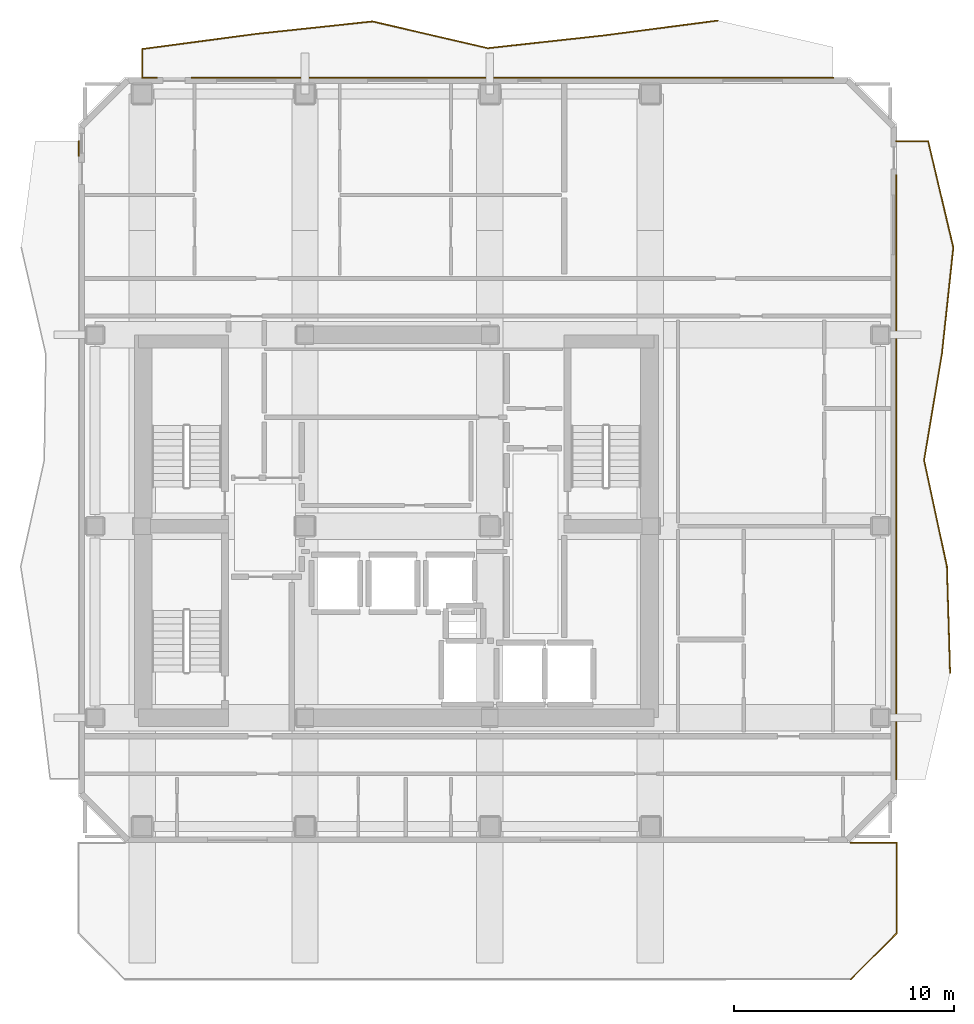
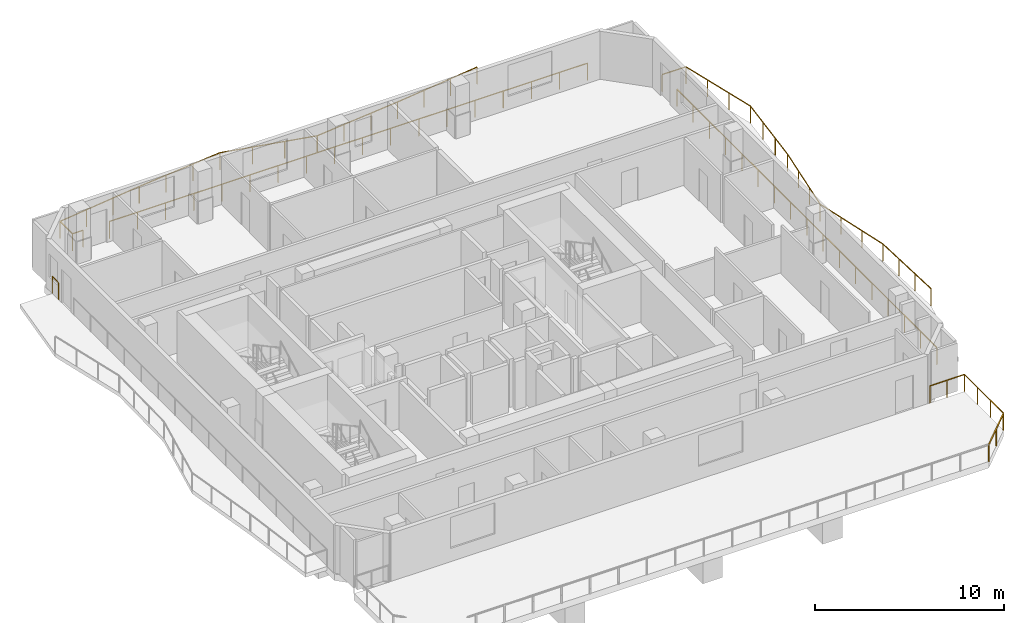
# One storey, part 9 of 9: 8 railings.
"""IFC4 building model written with IfcOpenShell, lengths in metres."""

import ifcopenshell
import ifcopenshell.guid

model = None  # the IFC model being written
_history = None  # IfcOwnerHistory: only IFC2X3 demands one
_inside = {}  # id of a spatial element -> (the spatial element, [elements in it])
_under = {}  # id of a project, library or spatial element -> (it, [spatial elements below it])
_declared = {}  # id of a project -> (the project, [libraries it declares])
_typed = {}  # id of a type object -> (the type object, [elements of that type])
_made_of = {}  # id of a material, layer set ... -> (it, [elements and type objects made of it])


def new_model(schema):
    """Start an empty IFC model of exactly this schema.

    Asked for "IFC4X3", IfcOpenShell would pick the latest addendum, in which some entities
    have other attributes; the version numbers below select the first issue.
    IFC2X3 requires an IfcOwnerHistory on every rooted entity: one is made here for all.
    """
    global model, _history
    if schema == "IFC4X3":
        model = ifcopenshell.file(schema_version=(4, 3, 0, 0))
    else:
        model = ifcopenshell.file(schema=schema)
    _inside.clear()
    _under.clear()
    _declared.clear()
    _typed.clear()
    _made_of.clear()
    _history = None
    if model.schema == "IFC2X3":
        org = make("IfcOrganization", Name="unknown")
        user = make(
            "IfcPersonAndOrganization",
            ThePerson=make("IfcPerson", FamilyName="unknown"),
            TheOrganization=org,
        )
        app = make(
            "IfcApplication",
            ApplicationDeveloper=org,
            Version="unknown",
            ApplicationFullName="unknown",
            ApplicationIdentifier="unknown",
        )
        _history = make(
            "IfcOwnerHistory",
            OwningUser=user,
            OwningApplication=app,
            ChangeAction="ADDED",
            CreationDate=0,
        )
    return model


def make(cls, **values):
    """One entity of the class cls with the attributes given. An attribute that is None is left unset."""
    return model.create_entity(
        cls, **{name: value for name, value in values.items() if value is not None}
    )


def rooted(cls, **values):
    """An entity with a GlobalId (a new one), such as an element, a storey or a relation."""
    return make(cls, GlobalId=ifcopenshell.guid.new(), OwnerHistory=_history, **values)


def si_unit(unit_type, name, prefix=None):
    """IfcSIUnit, for example si_unit("LENGTHUNIT", "METRE", prefix="MILLI")."""
    return make("IfcSIUnit", UnitType=unit_type, Prefix=prefix, Name=name)


def assignment(units):
    """IfcUnitAssignment: the units of a project."""
    return None if units is None else make("IfcUnitAssignment", Units=units)


def point(xyz):
    """IfcCartesianPoint."""
    return None if xyz is None else make("IfcCartesianPoint", Coordinates=xyz)


def direction(xyz):
    """IfcDirection."""
    return None if xyz is None else make("IfcDirection", DirectionRatios=xyz)


def frame(location, z_axis=None, x_axis=None):
    """IfcAxis2Placement3D, a coordinate frame: its origin and axes. An axis left out is left unset."""
    return make(
        "IfcAxis2Placement3D",
        Location=point(location),
        Axis=direction(z_axis),
        RefDirection=direction(x_axis),
    )


def frame_2d(location, x_axis=None):
    """IfcAxis2Placement2D, a coordinate frame in the plane: its origin and x axis."""
    return make(
        "IfcAxis2Placement2D", Location=point(location), RefDirection=direction(x_axis)
    )


def origin():
    """The frame at (0, 0, 0) with its axes left unset."""
    return frame((0.0, 0.0, 0.0))


def origin_2d():
    """The frame at (0, 0) in the plane with its x axis left unset."""
    return frame_2d((0.0, 0.0))


def place(relative_to, where):
    """IfcLocalPlacement: puts the frame where relative to a parent placement (None: the world)."""
    return make(
        "IfcLocalPlacement", PlacementRelTo=relative_to, RelativePlacement=where
    )


def context(
    kind, dimensions, precision=None, world=None, true_north=None, identifier=None
):
    """IfcGeometricRepresentationContext, for example the 3D "Model" context."""
    return make(
        "IfcGeometricRepresentationContext",
        ContextIdentifier=identifier,
        ContextType=kind,
        CoordinateSpaceDimension=dimensions,
        Precision=precision,
        WorldCoordinateSystem=world,
        TrueNorth=true_north,
    )


def subcontext(parent, identifier, kind, view, scale=None):
    """IfcGeometricRepresentationSubContext, for example "Body" below "Model"."""
    return make(
        "IfcGeometricRepresentationSubContext",
        ContextIdentifier=identifier,
        ContextType=kind,
        ParentContext=parent,
        TargetScale=scale,
        TargetView=view,
    )


def project(units=None, contexts=None):
    """IfcProject with its units and contexts."""
    return rooted(
        "IfcProject",
        Name="project",
        RepresentationContexts=contexts,
        UnitsInContext=assignment(units),
    )


def spatial(cls, under=None, at=None, **own):
    """A site, building, storey or space (cls), placed at a placement, below another one or the project."""
    s = rooted(cls, ObjectPlacement=at, **own)
    if under is not None:
        _under.setdefault(under.id(), (under, []))[1].append(s)
    return s


def profile(cls, at=None, kind="AREA", **sizes):
    """A parametric profile (cls). Its sizes go by their IFC names, for example OverallWidth=200.0."""
    return make(cls, ProfileType=kind, Position=at, **sizes)


def rectangle(**sizes):
    """IfcRectangleProfileDef."""
    return profile("IfcRectangleProfileDef", **sizes)


def extrude(swept, where, along, depth):
    """IfcExtrudedAreaSolid: the profile swept, set in the frame where, extruded along a direction by depth."""
    return make(
        "IfcExtrudedAreaSolid",
        SweptArea=swept,
        Position=where,
        ExtrudedDirection=direction(along),
        Depth=depth,
    )


def shape(context_of_items, identifier, shape_type, items):
    """IfcShapeRepresentation: the items that make up one representation, for example the "Body"."""
    return make(
        "IfcShapeRepresentation",
        ContextOfItems=context_of_items,
        RepresentationIdentifier=identifier,
        RepresentationType=shape_type,
        Items=items,
    )


def material(Name=None, Category=None):
    """IfcMaterial."""
    return make("IfcMaterial", Name=Name, Category=Category)


def made_of(thing, what):
    """Note that an element or type object is made of a material, layer set ...; save() writes the relation."""
    if what is not None:
        _made_of.setdefault(what.id(), (what, []))[1].append(thing)
    return thing


def type_object(cls, material=None, **own):
    """A type object (cls), such as IfcWallType, which elements share."""
    return made_of(rooted(cls, **own), material)


def element(
    cls,
    number,
    at=None,
    inside=None,
    cuts=None,
    type_object=None,
    material=None,
    context=None,
    identifier="Body",
    shape_type=None,
    held_by="IfcProductDefinitionShape",
    body=None,
    shapes=None,
    **own,
):
    """One element of the class cls, such as IfcWall. Its Tag is "e" and its number.

    at: its placement. inside: the storey or other place that contains it. cuts: it is an
    opening in that element (IfcRelVoidsElement). A single representation is given by context,
    identifier, shape_type and body (its items); several are given by shapes. held_by: the class
    of the entity that holds the representations. save() writes the other relations.
    """
    e = rooted(cls, Tag="e%d" % number, ObjectPlacement=at, **own)
    if body is not None:
        shapes = [shape(context, identifier, shape_type, body)]
    if shapes is not None:
        e.Representation = make(held_by, Representations=shapes)
    if inside is not None:
        _inside.setdefault(inside.id(), (inside, []))[1].append(e)
    if cuts is not None:
        rooted(
            "IfcRelVoidsElement", RelatingBuildingElement=cuts, RelatedOpeningElement=e
        )
    if type_object is not None:
        _typed.setdefault(type_object.id(), (type_object, []))[1].append(e)
    return made_of(e, material)


def aggregate(whole, parts):
    """IfcRelAggregates: a whole, such as a stair, and the parts it consists of."""
    return rooted("IfcRelAggregates", RelatingObject=whole, RelatedObjects=parts)


def save(model, path):
    """Write the relations noted so far, then the file.

    IfcRelAggregates (storeys below a building ...), IfcRelContainedInSpatialStructure (elements
    in a storey), IfcRelDefinesByType, IfcRelAssociatesMaterial and IfcRelDeclares: one each for
    every whole, place, type object, material and project.
    """
    for whole, parts in _under.values():
        aggregate(whole, parts)
    for where, things in _inside.values():
        rooted(
            "IfcRelContainedInSpatialStructure",
            RelatedElements=things,
            RelatingStructure=where,
        )
    for kind, things in _typed.values():
        rooted("IfcRelDefinesByType", RelatedObjects=things, RelatingType=kind)
    for what, things in _made_of.values():
        rooted("IfcRelAssociatesMaterial", RelatedObjects=things, RelatingMaterial=what)
    for by, libraries in _declared.values():
        rooted("IfcRelDeclares", RelatingContext=by, RelatedDefinitions=libraries)
    model.write(path)


model = new_model("IFC4")

# Units and contexts
model_context = context("Model", 3, precision=1e-05, world=origin(), true_north=direction((0.0, 1.0)))
body_context = subcontext(model_context, "Body", "Model", "MODEL_VIEW")
ifc_project = project(units=[si_unit("LENGTHUNIT", "METRE"), si_unit("AREAUNIT", "SQUARE_METRE"), si_unit("VOLUMEUNIT", "CUBIC_METRE"), si_unit("PLANEANGLEUNIT", "RADIAN"), si_unit("MASSUNIT", "GRAM", prefix="KILO")], contexts=[model_context])

# Site, building, storey
site_placement = place(None, origin())
site = spatial("IfcSite", under=ifc_project, at=site_placement, CompositionType="ELEMENT")
building_placement = place(site_placement, origin())
building = spatial("IfcBuilding", under=site, at=building_placement, Name="Solanera Arch Residences", CompositionType="ELEMENT")
storey_placement = place(building_placement, frame((0.0, 0.0, 231.280029296875)))
storey = spatial("IfcBuildingStorey", under=building, at=storey_placement, Name="L67", CompositionType="ELEMENT", Elevation=231.280029296875)

# Railings
ifc_material = material(Name="Steel S355 (ASTM A992 / A572 Grade 50)", Category="steel")
railing_type = type_object("IfcRailingType", Name="Balustrade Railing BL-1100", PredefinedType="BALUSTRADE", material=ifc_material)
railing_1_placement = place(storey_placement, frame((39.56689453125, 53.68505859375, 0.0)))
element("IfcRailing", 1, at=railing_1_placement, inside=storey, type_object=railing_type, Name="L67 N Balcony Balustrade 1", PredefinedType="BALUSTRADE", context=body_context, shape_type="SweptSolid", body=[
    extrude(rectangle(XDim=0.048095703125, YDim=0.048095703125, at=origin_2d()), frame((0.0, 0.0, 1.09619140625), z_axis=(-0.991613818073, -0.129236356362, 0.0), x_axis=(0.129236356362, -0.991613818073, 0.0)), (0.0, 0.0, 1.0), 5.278076171875),
    extrude(rectangle(XDim=0.048095703125, YDim=0.048095703125, at=origin_2d()), frame((-5.23388671875, -0.68212890625, 1.09619140625), z_axis=(-0.99405836961, -0.108848324787, 0.0), x_axis=(0.108848324787, -0.99405836961, 0.0)), (0.0, 0.0, 1.0), 5.26416015625),
    extrude(rectangle(XDim=0.048095703125, YDim=0.048095703125, at=origin_2d()), frame((-10.466796875, -1.255126953125, 1.09619140625), z_axis=(-0.974087010502, 0.22617359698, 0.0), x_axis=(-0.22617359698, -0.974087010502, 0.0)), (0.0, 0.0, 1.0), 5.372314453125),
    extrude(rectangle(XDim=0.048095703125, YDim=0.048095703125, at=origin_2d()), frame((-15.699951171875, -0.0400390625, 1.09619140625), z_axis=(-0.994343144121, -0.106215402558, 0.0), x_axis=(0.106215402558, -0.994343144121, 0.0)), (0.0, 0.0, 1.0), 5.263671875),
    extrude(rectangle(XDim=0.048095703125, YDim=0.048095703125, at=origin_2d()), frame((-20.933837890625, -0.59912109375, 1.09619140625), z_axis=(-0.991300453123, -0.131618431985, 0.0), x_axis=(0.131618431985, -0.991300453123, 0.0)), (0.0, 0.0, 1.0), 5.279052734375),
    extrude(rectangle(XDim=0.048095703125, YDim=0.048095703125, at=origin_2d()), frame((-26.1669921875, -1.2939453125, 1.09619140625), z_axis=(0.0, -1.0, 0.0), x_axis=(1.0, 0.0, 0.0)), (0.0, 0.0, 1.0), 1.31103515625),
    extrude(rectangle(XDim=0.048095703125, YDim=0.048095703125, at=origin_2d()), frame((-26.1669921875, -2.60498046875, 1.09619140625), z_axis=(1.0, 0.0, 0.0), x_axis=(0.0, 1.0, 0.0)), (0.0, 0.0, 1.0), 0.655029296875),
    extrude(rectangle(XDim=0.0419921875, YDim=0.0419921875, at=origin_2d()), origin(), (0.0, 0.0, 1.0), 1.072021484375),
    extrude(rectangle(XDim=0.0419921875, YDim=0.0419921875, at=origin_2d()), frame((-1.74462890625, -0.227294921875, 0.0)), (0.0, 0.0, 1.0), 1.072021484375),
    extrude(rectangle(XDim=0.0419921875, YDim=0.0419921875, at=origin_2d()), frame((-3.4892578125, -0.454833984375, 0.0)), (0.0, 0.0, 1.0), 1.072021484375),
    extrude(rectangle(XDim=0.0419921875, YDim=0.0419921875, at=origin_2d()), frame((-5.23388671875, -0.68212890625, 0.0)), (0.0, 0.0, 1.0), 1.072021484375),
    extrude(rectangle(XDim=0.0419921875, YDim=0.0419921875, at=origin_2d()), frame((-6.978271484375, -0.873046875, 0.0)), (0.0, 0.0, 1.0), 1.072021484375),
    extrude(rectangle(XDim=0.0419921875, YDim=0.0419921875, at=origin_2d()), frame((-8.722412109375, -1.064208984375, 0.0)), (0.0, 0.0, 1.0), 1.072021484375),
    extrude(rectangle(XDim=0.0419921875, YDim=0.0419921875, at=origin_2d()), frame((-10.466796875, -1.255126953125, 0.0)), (0.0, 0.0, 1.0), 1.072021484375),
    extrude(rectangle(XDim=0.0419921875, YDim=0.0419921875, at=origin_2d()), frame((-12.211181640625, -0.85009765625, 0.0)), (0.0, 0.0, 1.0), 1.072021484375),
    extrude(rectangle(XDim=0.0419921875, YDim=0.0419921875, at=origin_2d()), frame((-13.95556640625, -0.445068359375, 0.0)), (0.0, 0.0, 1.0), 1.072021484375),
    extrude(rectangle(XDim=0.0419921875, YDim=0.0419921875, at=origin_2d()), frame((-15.699951171875, -0.0400390625, 0.0)), (0.0, 0.0, 1.0), 1.072021484375),
    extrude(rectangle(XDim=0.0419921875, YDim=0.0419921875, at=origin_2d()), frame((-17.444580078125, -0.226318359375, 0.0)), (0.0, 0.0, 1.0), 1.072021484375),
    extrude(rectangle(XDim=0.0419921875, YDim=0.0419921875, at=origin_2d()), frame((-19.189208984375, -0.412841796875, 0.0)), (0.0, 0.0, 1.0), 1.072021484375),
    extrude(rectangle(XDim=0.0419921875, YDim=0.0419921875, at=origin_2d()), frame((-20.933837890625, -0.59912109375, 0.0)), (0.0, 0.0, 1.0), 1.072021484375),
    extrude(rectangle(XDim=0.0419921875, YDim=0.0419921875, at=origin_2d()), frame((-22.67822265625, -0.830810546875, 0.0)), (0.0, 0.0, 1.0), 1.072021484375),
    extrude(rectangle(XDim=0.0419921875, YDim=0.0419921875, at=origin_2d()), frame((-24.422607421875, -1.062255859375, 0.0)), (0.0, 0.0, 1.0), 1.072021484375),
    extrude(rectangle(XDim=0.0419921875, YDim=0.0419921875, at=origin_2d()), frame((-26.1669921875, -1.2939453125, 0.0)), (0.0, 0.0, 1.0), 1.072021484375),
    extrude(rectangle(XDim=0.0419921875, YDim=0.0419921875, at=origin_2d()), frame((-26.1669921875, -2.60498046875, 0.0)), (0.0, 0.0, 1.0), 1.072021484375),
    extrude(rectangle(XDim=0.0419921875, YDim=0.0419921875, at=origin_2d()), frame((-25.511962890625, -2.60498046875, 0.0)), (0.0, 0.0, 1.0), 1.072021484375),
])
railing_2_placement = place(storey_placement, frame((15.655029296875, 51.080078125, 0.0)))
element("IfcRailing", 2, at=railing_2_placement, inside=storey, type_object=railing_type, Name="L67 N Balcony Balustrade 2", PredefinedType="BALUSTRADE", context=body_context, shape_type="SweptSolid", body=[
    extrude(rectangle(XDim=0.048095703125, YDim=0.048095703125, at=origin_2d()), frame((0.0, 0.0, 1.09619140625), z_axis=(1.0, 0.0, 0.0), x_axis=(0.0, 1.0, 0.0)), (0.0, 0.0, 1.0), 29.14501953125),
    extrude(rectangle(XDim=0.0419921875, YDim=0.0419921875, at=origin_2d()), origin(), (0.0, 0.0, 1.0), 1.072021484375),
    extrude(rectangle(XDim=0.0419921875, YDim=0.0419921875, at=origin_2d()), frame((1.71435546875, 0.0, 0.0)), (0.0, 0.0, 1.0), 1.072021484375),
    extrude(rectangle(XDim=0.0419921875, YDim=0.0419921875, at=origin_2d()), frame((3.4287109375, 0.0, 0.0)), (0.0, 0.0, 1.0), 1.072021484375),
    extrude(rectangle(XDim=0.0419921875, YDim=0.0419921875, at=origin_2d()), frame((5.143310546875, 0.0, 0.0)), (0.0, 0.0, 1.0), 1.072021484375),
    extrude(rectangle(XDim=0.0419921875, YDim=0.0419921875, at=origin_2d()), frame((6.857666015625, 0.0, 0.0)), (0.0, 0.0, 1.0), 1.072021484375),
    extrude(rectangle(XDim=0.0419921875, YDim=0.0419921875, at=origin_2d()), frame((8.572021484375, 0.0, 0.0)), (0.0, 0.0, 1.0), 1.072021484375),
    extrude(rectangle(XDim=0.0419921875, YDim=0.0419921875, at=origin_2d()), frame((10.286376953125, 0.0, 0.0)), (0.0, 0.0, 1.0), 1.072021484375),
    extrude(rectangle(XDim=0.0419921875, YDim=0.0419921875, at=origin_2d()), frame((12.0009765625, 0.0, 0.0)), (0.0, 0.0, 1.0), 1.072021484375),
    extrude(rectangle(XDim=0.0419921875, YDim=0.0419921875, at=origin_2d()), frame((13.71533203125, 0.0, 0.0)), (0.0, 0.0, 1.0), 1.072021484375),
    extrude(rectangle(XDim=0.0419921875, YDim=0.0419921875, at=origin_2d()), frame((15.4296875, 0.0, 0.0)), (0.0, 0.0, 1.0), 1.072021484375),
    extrude(rectangle(XDim=0.0419921875, YDim=0.0419921875, at=origin_2d()), frame((17.14404296875, 0.0, 0.0)), (0.0, 0.0, 1.0), 1.072021484375),
    extrude(rectangle(XDim=0.0419921875, YDim=0.0419921875, at=origin_2d()), frame((18.858642578125, 0.0, 0.0)), (0.0, 0.0, 1.0), 1.072021484375),
    extrude(rectangle(XDim=0.0419921875, YDim=0.0419921875, at=origin_2d()), frame((20.572998046875, 0.0, 0.0)), (0.0, 0.0, 1.0), 1.072021484375),
    extrude(rectangle(XDim=0.0419921875, YDim=0.0419921875, at=origin_2d()), frame((22.287353515625, 0.0, 0.0)), (0.0, 0.0, 1.0), 1.072021484375),
    extrude(rectangle(XDim=0.0419921875, YDim=0.0419921875, at=origin_2d()), frame((24.001708984375, 0.0, 0.0)), (0.0, 0.0, 1.0), 1.072021484375),
    extrude(rectangle(XDim=0.0419921875, YDim=0.0419921875, at=origin_2d()), frame((25.71630859375, 0.0, 0.0)), (0.0, 0.0, 1.0), 1.072021484375),
    extrude(rectangle(XDim=0.0419921875, YDim=0.0419921875, at=origin_2d()), frame((27.4306640625, 0.0, 0.0)), (0.0, 0.0, 1.0), 1.072021484375),
    extrude(rectangle(XDim=0.0419921875, YDim=0.0419921875, at=origin_2d()), frame((29.14501953125, 0.0, 0.0)), (0.0, 0.0, 1.0), 1.072021484375),
])
railing_3_placement = place(storey_placement, frame((50.1220703125, 24.032958984375, 0.0)))
element("IfcRailing", 3, at=railing_3_placement, inside=storey, type_object=railing_type, Name="L67 E Balcony Balustrade 1", PredefinedType="BALUSTRADE", context=body_context, shape_type="SweptSolid", body=[
    extrude(rectangle(XDim=0.048095703125, YDim=0.048095703125, at=origin_2d()), frame((0.0, 0.0, 1.09619140625), z_axis=(-0.029583006246, 0.999562327092, 0.0), x_axis=(-0.999562327092, -0.029583006246, 0.0)), (0.0, 0.0, 1.0), 4.836181640625),
    extrude(rectangle(XDim=0.048095703125, YDim=0.048095703125, at=origin_2d()), frame((-0.14306640625, 4.833984375, 1.09619140625), z_axis=(-0.210190100856, 0.977660534901, 0.0), x_axis=(-0.977660534901, -0.210190100856, 0.0)), (0.0, 0.0, 1.0), 4.943359375),
    extrude(rectangle(XDim=0.048095703125, YDim=0.048095703125, at=origin_2d()), frame((-1.18212890625, 9.6669921875, 1.09619140625), z_axis=(0.165497588744, 0.986210194695, 0.0), x_axis=(-0.986210194695, 0.165497588744, 0.0)), (0.0, 0.0, 1.0), 4.900634765625),
    extrude(rectangle(XDim=0.048095703125, YDim=0.048095703125, at=origin_2d()), frame((-0.37109375, 14.5, 1.09619140625), z_axis=(0.106362898272, 0.994327377613, 0.0), x_axis=(-0.994327377613, 0.106362898272, 0.0)), (0.0, 0.0, 1.0), 4.861572265625),
    extrude(rectangle(XDim=0.048095703125, YDim=0.048095703125, at=origin_2d()), frame((0.14599609375, 19.333984375, 1.09619140625), z_axis=(-0.230162585951, 0.973152189551, 0.0), x_axis=(-0.973152189551, -0.230162585951, 0.0)), (0.0, 0.0, 1.0), 4.96630859375),
    extrude(rectangle(XDim=0.048095703125, YDim=0.048095703125, at=origin_2d()), frame((-0.9970703125, 24.1669921875, 1.09619140625), z_axis=(-1.0, 0.0, 0.0), x_axis=(0.0, -1.0, 0.0)), (0.0, 0.0, 1.0), 1.445068359375),
    extrude(rectangle(XDim=0.0419921875, YDim=0.0419921875, at=origin_2d()), origin(), (0.0, 0.0, 1.0), 1.072021484375),
    extrude(rectangle(XDim=0.0419921875, YDim=0.0419921875, at=origin_2d()), frame((-0.047607421875, 1.611328125, 0.0)), (0.0, 0.0, 1.0), 1.072021484375),
    extrude(rectangle(XDim=0.0419921875, YDim=0.0419921875, at=origin_2d()), frame((-0.095458984375, 3.22265625, 0.0)), (0.0, 0.0, 1.0), 1.072021484375),
    extrude(rectangle(XDim=0.0419921875, YDim=0.0419921875, at=origin_2d()), frame((-0.14306640625, 4.833984375, 0.0)), (0.0, 0.0, 1.0), 1.072021484375),
    extrude(rectangle(XDim=0.0419921875, YDim=0.0419921875, at=origin_2d()), frame((-0.489501953125, 6.445068359375, 0.0)), (0.0, 0.0, 1.0), 1.072021484375),
    extrude(rectangle(XDim=0.0419921875, YDim=0.0419921875, at=origin_2d()), frame((-0.835693359375, 8.055908203125, 0.0)), (0.0, 0.0, 1.0), 1.072021484375),
    extrude(rectangle(XDim=0.0419921875, YDim=0.0419921875, at=origin_2d()), frame((-1.18212890625, 9.6669921875, 0.0)), (0.0, 0.0, 1.0), 1.072021484375),
    extrude(rectangle(XDim=0.0419921875, YDim=0.0419921875, at=origin_2d()), frame((-0.911865234375, 11.278076171875, 0.0)), (0.0, 0.0, 1.0), 1.072021484375),
    extrude(rectangle(XDim=0.0419921875, YDim=0.0419921875, at=origin_2d()), frame((-0.641357421875, 12.888916015625, 0.0)), (0.0, 0.0, 1.0), 1.072021484375),
    extrude(rectangle(XDim=0.0419921875, YDim=0.0419921875, at=origin_2d()), frame((-0.37109375, 14.5, 0.0)), (0.0, 0.0, 1.0), 1.072021484375),
    extrude(rectangle(XDim=0.0419921875, YDim=0.0419921875, at=origin_2d()), frame((-0.19873046875, 16.111328125, 0.0)), (0.0, 0.0, 1.0), 1.072021484375),
    extrude(rectangle(XDim=0.0419921875, YDim=0.0419921875, at=origin_2d()), frame((-0.0263671875, 17.72265625, 0.0)), (0.0, 0.0, 1.0), 1.072021484375),
    extrude(rectangle(XDim=0.0419921875, YDim=0.0419921875, at=origin_2d()), frame((0.14599609375, 19.333984375, 0.0)), (0.0, 0.0, 1.0), 1.072021484375),
    extrude(rectangle(XDim=0.0419921875, YDim=0.0419921875, at=origin_2d()), frame((-0.235107421875, 20.945068359375, 0.0)), (0.0, 0.0, 1.0), 1.072021484375),
    extrude(rectangle(XDim=0.0419921875, YDim=0.0419921875, at=origin_2d()), frame((-0.615966796875, 22.555908203125, 0.0)), (0.0, 0.0, 1.0), 1.072021484375),
    extrude(rectangle(XDim=0.0419921875, YDim=0.0419921875, at=origin_2d()), frame((-0.9970703125, 24.1669921875, 0.0)), (0.0, 0.0, 1.0), 1.072021484375),
    extrude(rectangle(XDim=0.0419921875, YDim=0.0419921875, at=origin_2d()), frame((-2.442138671875, 24.1669921875, 0.0)), (0.0, 0.0, 1.0), 1.072021484375),
])
railing_4_placement = place(storey_placement, frame((47.679931640625, 46.64501953125, 0.0)))
element("IfcRailing", 4, at=railing_4_placement, inside=storey, type_object=railing_type, Name="L67 E Balcony Balustrade 2", PredefinedType="BALUSTRADE", context=body_context, shape_type="SweptSolid", body=[
    extrude(rectangle(XDim=0.048095703125, YDim=0.048095703125, at=origin_2d()), frame((0.0, 0.0, 1.09619140625), z_axis=(0.0, -1.0, 0.0), x_axis=(1.0, 0.0, 0.0)), (0.0, 0.0, 1.0), 27.445068359375),
    extrude(rectangle(XDim=0.0419921875, YDim=0.0419921875, at=origin_2d()), origin(), (0.0, 0.0, 1.0), 1.072021484375),
    extrude(rectangle(XDim=0.0419921875, YDim=0.0419921875, at=origin_2d()), frame((0.0, -1.71533203125, 0.0)), (0.0, 0.0, 1.0), 1.072021484375),
    extrude(rectangle(XDim=0.0419921875, YDim=0.0419921875, at=origin_2d()), frame((0.0, -3.4306640625, 0.0)), (0.0, 0.0, 1.0), 1.072021484375),
    extrude(rectangle(XDim=0.0419921875, YDim=0.0419921875, at=origin_2d()), frame((0.0, -5.14599609375, 0.0)), (0.0, 0.0, 1.0), 1.072021484375),
    extrude(rectangle(XDim=0.0419921875, YDim=0.0419921875, at=origin_2d()), frame((0.0, -6.861328125, 0.0)), (0.0, 0.0, 1.0), 1.072021484375),
    extrude(rectangle(XDim=0.0419921875, YDim=0.0419921875, at=origin_2d()), frame((0.0, -8.57666015625, 0.0)), (0.0, 0.0, 1.0), 1.072021484375),
    extrude(rectangle(XDim=0.0419921875, YDim=0.0419921875, at=origin_2d()), frame((0.0, -10.2919921875, 0.0)), (0.0, 0.0, 1.0), 1.072021484375),
    extrude(rectangle(XDim=0.0419921875, YDim=0.0419921875, at=origin_2d()), frame((0.0, -12.00732421875, 0.0)), (0.0, 0.0, 1.0), 1.072021484375),
    extrude(rectangle(XDim=0.0419921875, YDim=0.0419921875, at=origin_2d()), frame((0.0, -13.72265625, 0.0)), (0.0, 0.0, 1.0), 1.072021484375),
    extrude(rectangle(XDim=0.0419921875, YDim=0.0419921875, at=origin_2d()), frame((0.0, -15.437744140625, 0.0)), (0.0, 0.0, 1.0), 1.072021484375),
    extrude(rectangle(XDim=0.0419921875, YDim=0.0419921875, at=origin_2d()), frame((0.0, -17.153076171875, 0.0)), (0.0, 0.0, 1.0), 1.072021484375),
    extrude(rectangle(XDim=0.0419921875, YDim=0.0419921875, at=origin_2d()), frame((0.0, -18.868408203125, 0.0)), (0.0, 0.0, 1.0), 1.072021484375),
    extrude(rectangle(XDim=0.0419921875, YDim=0.0419921875, at=origin_2d()), frame((0.0, -20.583740234375, 0.0)), (0.0, 0.0, 1.0), 1.072021484375),
    extrude(rectangle(XDim=0.0419921875, YDim=0.0419921875, at=origin_2d()), frame((0.0, -22.299072265625, 0.0)), (0.0, 0.0, 1.0), 1.072021484375),
    extrude(rectangle(XDim=0.0419921875, YDim=0.0419921875, at=origin_2d()), frame((0.0, -24.014404296875, 0.0)), (0.0, 0.0, 1.0), 1.072021484375),
    extrude(rectangle(XDim=0.0419921875, YDim=0.0419921875, at=origin_2d()), frame((0.0, -25.729736328125, 0.0)), (0.0, 0.0, 1.0), 1.072021484375),
    extrude(rectangle(XDim=0.0419921875, YDim=0.0419921875, at=origin_2d()), frame((0.0, -27.445068359375, 0.0)), (0.0, 0.0, 1.0), 1.072021484375),
])
railing_5_placement = place(storey_placement, frame((10.52001953125, 47.5400390625, 0.0)))
element("IfcRailing", 5, at=railing_5_placement, inside=storey, type_object=railing_type, Name="L67 W Balcony Balustrade 2", PredefinedType="BALUSTRADE", context=body_context, shape_type="SweptSolid", body=[
    extrude(rectangle(XDim=0.048095703125, YDim=0.048095703125, at=origin_2d()), frame((0.0, 0.0, 1.09619140625), z_axis=(0.0, 1.0, 0.0), x_axis=(-1.0, 0.0, 0.0)), (0.0, 0.0, 1.0), 0.659912109375),
    extrude(rectangle(XDim=0.0419921875, YDim=0.0419921875, at=origin_2d()), origin(), (0.0, 0.0, 1.0), 1.072021484375),
    extrude(rectangle(XDim=0.0419921875, YDim=0.0419921875, at=origin_2d()), frame((0.0, 0.659912109375, 0.0)), (0.0, 0.0, 1.0), 1.072021484375),
])
railing_6_placement = place(storey_placement, frame((47.699951171875, 16.320068359375, 0.0)))
element("IfcRailing", 6, at=railing_6_placement, inside=storey, type_object=railing_type, Name="L67 Sky Terrace Guardrail 1", PredefinedType="BALUSTRADE", context=body_context, shape_type="SweptSolid", body=[
    extrude(rectangle(XDim=0.048095703125, YDim=0.048095703125, at=origin_2d()), frame((0.0, 0.0, 1.09619140625), z_axis=(-1.0, 0.0, 0.0), x_axis=(0.0, -1.0, 0.0)), (0.0, 0.0, 1.0), 2.10791015625),
    extrude(rectangle(XDim=0.0419921875, YDim=0.0419921875, at=origin_2d()), origin(), (0.0, 0.0, 1.0), 1.072021484375),
    extrude(rectangle(XDim=0.0419921875, YDim=0.0419921875, at=origin_2d()), frame((-1.053955078125, 0.0, 0.0)), (0.0, 0.0, 1.0), 1.072021484375),
    extrude(rectangle(XDim=0.0419921875, YDim=0.0419921875, at=origin_2d()), frame((-2.10791015625, 0.0, 0.0)), (0.0, 0.0, 1.0), 1.072021484375),
])
railing_7_placement = place(storey_placement, frame((45.60009765625, 10.10009765625, 0.0)))
element("IfcRailing", 7, at=railing_7_placement, inside=storey, type_object=railing_type, Name="L67 Sky Terrace Guardrail 1", PredefinedType="BALUSTRADE", context=body_context, shape_type="SweptSolid", body=[
    extrude(rectangle(XDim=0.048095703125, YDim=0.048095703125, at=origin_2d()), frame((0.0, 0.0, 1.09619140625), z_axis=(0.707106781187, 0.707106781187, 0.0), x_axis=(-0.707106781187, 0.707106781187, 0.0)), (0.0, 0.0, 1.0), 2.9697265625),
    extrude(rectangle(XDim=0.0419921875, YDim=0.0419921875, at=origin_2d()), origin(), (0.0, 0.0, 1.0), 1.072021484375),
    extrude(rectangle(XDim=0.0419921875, YDim=0.0419921875, at=origin_2d()), frame((1.0498046875, 1.0498046875, 0.0)), (0.0, 0.0, 1.0), 1.072021484375),
    extrude(rectangle(XDim=0.0419921875, YDim=0.0419921875, at=origin_2d()), frame((2.099853515625, 2.099853515625, 0.0)), (0.0, 0.0, 1.0), 1.072021484375),
])
railing_8_placement = place(storey_placement, frame((47.699951171875, 12.199951171875, 0.0)))
element("IfcRailing", 8, at=railing_8_placement, inside=storey, type_object=railing_type, Name="L67 Sky Terrace Guardrail 1", PredefinedType="BALUSTRADE", context=body_context, shape_type="SweptSolid", body=[
    extrude(rectangle(XDim=0.048095703125, YDim=0.048095703125, at=origin_2d()), frame((0.0, 0.0, 1.09619140625), z_axis=(0.0, 1.0, 0.0), x_axis=(-1.0, 0.0, 0.0)), (0.0, 0.0, 1.0), 4.1201171875),
    extrude(rectangle(XDim=0.0419921875, YDim=0.0419921875, at=origin_2d()), origin(), (0.0, 0.0, 1.0), 1.072021484375),
    extrude(rectangle(XDim=0.0419921875, YDim=0.0419921875, at=origin_2d()), frame((0.0, 1.373291015625, 0.0)), (0.0, 0.0, 1.0), 1.072021484375),
    extrude(rectangle(XDim=0.0419921875, YDim=0.0419921875, at=origin_2d()), frame((0.0, 2.746826171875, 0.0)), (0.0, 0.0, 1.0), 1.072021484375),
    extrude(rectangle(XDim=0.0419921875, YDim=0.0419921875, at=origin_2d()), frame((0.0, 4.1201171875, 0.0)), (0.0, 0.0, 1.0), 1.072021484375),
])

save(model, "model.ifc")
